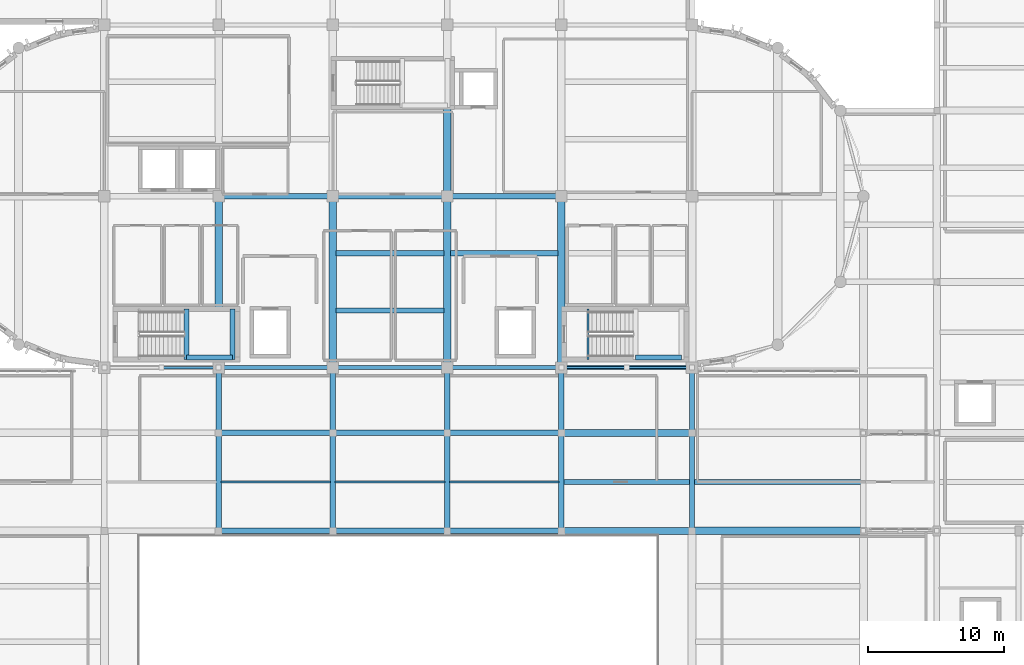
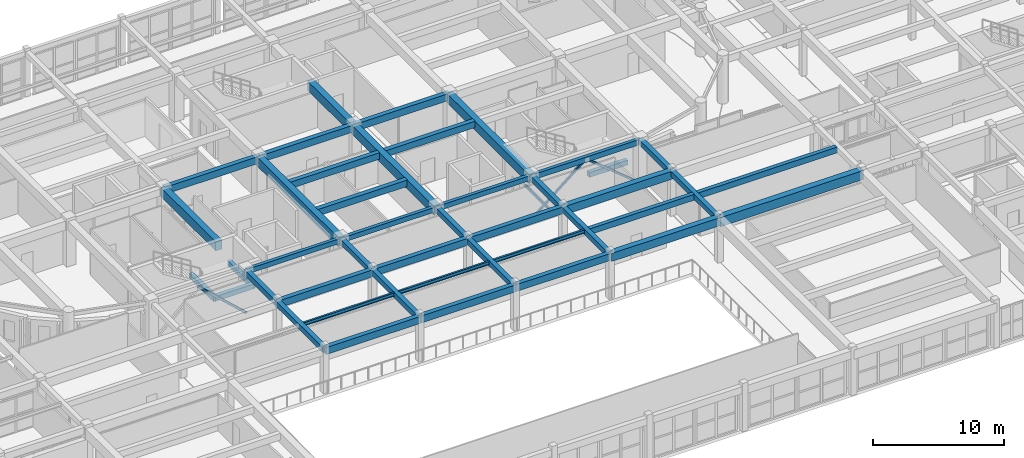
# One storey, part 34 of 92: 43 beams, 4 members.
"""IFC4 building model written with IfcOpenShell, lengths in metres."""

from ifc_helpers import new_model, si_unit, direction, frame, origin, origin_2d, place, context, subcontext, project, spatial, rectangle, hollow_rectangle, i_section, extrude, material, material_profile, profile_set, type_object, element, save


model = new_model("IFC4")

# Units and contexts
model_context = context("Model", 3, precision=1e-05, world=origin(), true_north=direction((0.0, 1.0)))
body_context = subcontext(model_context, "Body", "Model", "MODEL_VIEW")
ifc_project = project(units=[si_unit("LENGTHUNIT", "METRE"), si_unit("AREAUNIT", "SQUARE_METRE"), si_unit("VOLUMEUNIT", "CUBIC_METRE"), si_unit("PLANEANGLEUNIT", "RADIAN"), si_unit("MASSUNIT", "GRAM", prefix="KILO")], contexts=[model_context])

# Site, building, storey
site_placement = place(None, origin())
site = spatial("IfcSite", under=ifc_project, at=site_placement, CompositionType="ELEMENT")
building_placement = place(site_placement, origin())
building = spatial("IfcBuilding", under=site, at=building_placement, Name="Tarnavel Promenade Courthouse", CompositionType="ELEMENT")
storey_placement = place(building_placement, frame((0.0, 0.0, 5.39990234375)))
storey = spatial("IfcBuildingStorey", under=building, at=storey_placement, Name="L02", CompositionType="ELEMENT", Elevation=5.39990234375)

# Beams
ifc_material_1 = material(Name="Concrete C40/50", Category="concrete")
ifc_material_profile_1 = material_profile(ifc_material_1, rectangle(XDim=0.35009765625, YDim=0.550048828125, at=origin_2d()), Name="PT 350x550")
ifc_profile_set_1 = profile_set([ifc_material_profile_1], Name="Concrete C40/50")
beam_type_1 = type_object("IfcBeamType", Name="Concrete C40/50 BM-PT-350x550 (PT 350x550)", PredefinedType="JOIST", material=ifc_profile_set_1)
beam_1_placement = place(storey_placement, frame((92.570068359375, 70.800048828125, 3.920166015625), z_axis=(1.0, 0.0, 0.0), x_axis=(0.0, 1.0, 0.0)))
element("IfcBeam", 1, at=beam_1_placement, inside=storey, type_object=beam_type_1, Name="L02 Secondary Floor Rib 1400", PredefinedType="JOIST", context=body_context, shape_type="SweptSolid", body=[
    extrude(rectangle(XDim=0.35009765625, YDim=0.550048828125, at=origin_2d()), origin(), (0.0, 0.0, 1.0), 9.260009765625),
])
beam_2_placement = place(storey_placement, frame((102.169921875, 70.800048828125, 3.920166015625), z_axis=(1.0, 0.0, 0.0), x_axis=(0.0, 1.0, 0.0)))
element("IfcBeam", 2, at=beam_2_placement, inside=storey, type_object=beam_type_1, Name="L02 Secondary Floor Rib 1401", PredefinedType="JOIST", context=body_context, shape_type="SweptSolid", body=[
    extrude(rectangle(XDim=0.35009765625, YDim=0.550048828125, at=origin_2d()), origin(), (0.0, 0.0, 1.0), 12.260009765625),
])
ifc_material_profile_2 = material_profile(ifc_material_1, rectangle(XDim=0.39990234375, YDim=0.60009765625, at=origin_2d()), Name="PT 400x600")
ifc_profile_set_2 = profile_set([ifc_material_profile_2], Name="Concrete C40/50")
beam_type_2 = type_object("IfcBeamType", Name="Concrete C40/50 BM-PT-400x600 (PT 400x600)", PredefinedType="JOIST", material=ifc_profile_set_2)
for number, where, z_axis, x_axis, name in (
    (3, (75.844970703125, 83.39990234375, 3.93505859375), (1.0, 0.0, 0.0), (0.0, 1.0, 0.0), "L02 Secondary Floor Rib 1461"),
    (4, (75.844970703125, 87.60009765625, 3.93505859375), (1.0, 0.0, 0.0), (0.0, 1.0, 0.0), "L02 Secondary Floor Rib 1462"),
    (5, (84.2451171875, 87.60009765625, 3.93505859375), (1.0, 0.0, 0.0), (0.0, 1.0, 0.0), "L02 Secondary Floor Rib 1463"),
):
    element("IfcBeam", number, at=place(storey_placement, frame(where, z_axis=z_axis, x_axis=x_axis)), inside=storey, type_object=beam_type_2, Name=name, PredefinedType="JOIST", context=body_context, shape_type="SweptSolid", body=[
        extrude(rectangle(XDim=0.39990234375, YDim=0.60009765625, at=origin_2d()), origin(), (0.0, 0.0, 1.0), 7.909912109375),
    ])
ifc_material_profile_3 = material_profile(ifc_material_1, rectangle(XDim=0.550048828125, YDim=0.85009765625, at=origin_2d()), Name="PT 550x850")
ifc_profile_set_3 = profile_set([ifc_material_profile_3], Name="Concrete C40/50")
beam_type_3 = type_object("IfcBeamType", Name="Concrete C40/50 BM-PT-550x850 (PT 550x850)", PredefinedType="T_BEAM", material=ifc_profile_set_3)
beam_3_placement = place(storey_placement, frame((102.0, 67.199951171875, 3.77001953125), z_axis=(1.0, 0.0, 0.0), x_axis=(0.0, 1.0, 0.0)))
element("IfcBeam", 6, at=beam_3_placement, inside=storey, type_object=beam_type_3, Name="L02 Primary Longitudinal Beam 1138", PredefinedType="T_BEAM", context=body_context, shape_type="SweptSolid", body=[
    extrude(rectangle(XDim=0.550048828125, YDim=0.85009765625, at=origin_2d()), origin(), (0.0, 0.0, 1.0), 12.60009765625),
])
beam_4_placement = place(storey_placement, frame((67.199951171875, 83.3701171875, 3.81005859375), z_axis=(0.0, 1.0, 0.0), x_axis=(-1.0, 0.0, 0.0)))
element("IfcBeam", 7, at=beam_4_placement, inside=storey, type_object=beam_type_3, Name="L02 Transverse Girder 1285", PredefinedType="T_BEAM", context=body_context, shape_type="SweptSolid", body=[
    extrude(rectangle(XDim=0.550048828125, YDim=0.85009765625, at=origin_2d()), origin(), (0.0, 0.0, 1.0), 8.429931640625),
])
for number, where, z_axis, x_axis, name in (
    (8, (75.60009765625, 79.199951171875, 3.81005859375), (0.0, 1.0, 0.0), (-1.0, 0.0, 0.0), "L02 Transverse Girder 1290"),
    (9, (84.0, 79.199951171875, 3.81005859375), (0.0, 1.0, 0.0), (-1.0, 0.0, 0.0), "L02 Transverse Girder 1295"),
):
    element("IfcBeam", number, at=place(storey_placement, frame(where, z_axis=z_axis, x_axis=x_axis)), inside=storey, type_object=beam_type_3, Name=name, PredefinedType="T_BEAM", context=body_context, shape_type="SweptSolid", body=[
        extrude(rectangle(XDim=0.550048828125, YDim=0.85009765625, at=origin_2d()), origin(), (0.0, 0.0, 1.0), 12.60009765625),
    ])
beam_5_placement = place(storey_placement, frame((84.0, 91.800048828125, 3.81005859375), z_axis=(0.0, 1.0, 0.0), x_axis=(-1.0, 0.0, 0.0)))
element("IfcBeam", 10, at=beam_5_placement, inside=storey, type_object=beam_type_3, Name="L02 Transverse Girder 1296", PredefinedType="T_BEAM", context=body_context, shape_type="SweptSolid", body=[
    extrude(rectangle(XDim=0.550048828125, YDim=0.85009765625, at=origin_2d()), origin(), (0.0, 0.0, 1.0), 6.64990234375),
])
beam_6_placement = place(storey_placement, frame((92.39990234375, 79.199951171875, 3.81005859375), z_axis=(0.0, 1.0, 0.0), x_axis=(-1.0, 0.0, 0.0)))
element("IfcBeam", 11, at=beam_6_placement, inside=storey, type_object=beam_type_3, Name="L02 Transverse Girder 1301", PredefinedType="T_BEAM", context=body_context, shape_type="SweptSolid", body=[
    extrude(rectangle(XDim=0.550048828125, YDim=0.85009765625, at=origin_2d()), origin(), (0.0, 0.0, 1.0), 12.60009765625),
])
ifc_material_profile_4 = material_profile(ifc_material_1, rectangle(XDim=0.35009765625, YDim=0.449951171875, at=origin_2d()), Name="RC 350x450")
ifc_profile_set_4 = profile_set([ifc_material_profile_4], Name="Concrete C40/50")
beam_type_4 = type_object("IfcBeamType", Name="Concrete C40/50 BM-RC-350x450 (RC 350x450)", PredefinedType="BEAM", material=ifc_profile_set_4)
for number, where, z_axis, x_axis, name in (
    (12, (64.840087890625, 79.800048828125, 1.820068359375), (0.0, 1.0, 0.0), (-1.0, 0.0, 0.0), "L02 ST-01 Mid-Landing Support Beam Near"),
    (13, (68.219970703125, 79.800048828125, 1.820068359375), (0.0, 1.0, 0.0), (-1.0, 0.0, 0.0), "L02 ST-01 Mid-Landing Support Beam Far"),
):
    element("IfcBeam", number, at=place(storey_placement, frame(where, z_axis=z_axis, x_axis=x_axis)), inside=storey, type_object=beam_type_4, Name=name, PredefinedType="BEAM", context=body_context, shape_type="SweptSolid", body=[
        extrude(rectangle(XDim=0.35009765625, YDim=0.449951171875, at=origin_2d()), origin(), (0.0, 0.0, 1.0), 3.719970703125),
    ])
for number, where, z_axis, x_axis, name in (
    (14, (64.840087890625, 79.949951171875, 1.820068359375), (1.0, 0.0, 0.0), (0.0, 1.0, 0.0), "L02 ST-01 Mid-Landing Edge Trimmer"),
    (15, (97.840087890625, 79.949951171875, 1.820068359375), (1.0, 0.0, 0.0), (0.0, 1.0, 0.0), "L02 ST-02 Mid-Landing Edge Trimmer"),
):
    element("IfcBeam", number, at=place(storey_placement, frame(where, z_axis=z_axis, x_axis=x_axis)), inside=storey, type_object=beam_type_4, Name=name, PredefinedType="BEAM", context=body_context, shape_type="SweptSolid", body=[
        extrude(rectangle(XDim=0.35009765625, YDim=0.449951171875, at=origin_2d()), origin(), (0.0, 0.0, 1.0), 3.3798828125),
    ])
ifc_material_profile_5 = material_profile(ifc_material_1, rectangle(XDim=0.39990234375, YDim=0.5, at=origin_2d()), Name="RC 400x500")
ifc_profile_set_5 = profile_set([ifc_material_profile_5], Name="Concrete C40/50")
beam_type_5 = type_object("IfcBeamType", Name="Concrete C40/50 BM-RC-400x500 (RC 400x500)", PredefinedType="BEAM", material=ifc_profile_set_5)
beam_7_placement = place(storey_placement, frame((67.199951171875, 67.199951171875, 3.945068359375), z_axis=(0.0, 1.0, 0.0), x_axis=(-1.0, 0.0, 0.0)))
element("IfcBeam", 16, at=beam_7_placement, inside=storey, type_object=beam_type_5, Name="L02 Transverse Girder 1283", PredefinedType="BEAM", context=body_context, shape_type="SweptSolid", body=[
    extrude(rectangle(XDim=0.39990234375, YDim=0.5, at=origin_2d()), origin(), (0.0, 0.0, 1.0), 7.199951171875),
])
beam_8_placement = place(storey_placement, frame((67.199951171875, 74.39990234375, 3.945068359375), z_axis=(0.0, 1.0, 0.0), x_axis=(-1.0, 0.0, 0.0)))
element("IfcBeam", 17, at=beam_8_placement, inside=storey, type_object=beam_type_5, Name="L02 Transverse Girder 1284", PredefinedType="BEAM", context=body_context, shape_type="SweptSolid", body=[
    extrude(rectangle(XDim=0.39990234375, YDim=0.5, at=origin_2d()), origin(), (0.0, 0.0, 1.0), 4.800048828125),
])
beam_9_placement = place(storey_placement, frame((75.60009765625, 67.199951171875, 3.945068359375), z_axis=(0.0, 1.0, 0.0), x_axis=(-1.0, 0.0, 0.0)))
element("IfcBeam", 18, at=beam_9_placement, inside=storey, type_object=beam_type_5, Name="L02 Transverse Girder 1288", PredefinedType="BEAM", context=body_context, shape_type="SweptSolid", body=[
    extrude(rectangle(XDim=0.39990234375, YDim=0.5, at=origin_2d()), origin(), (0.0, 0.0, 1.0), 7.199951171875),
])
beam_10_placement = place(storey_placement, frame((75.60009765625, 74.39990234375, 3.945068359375), z_axis=(0.0, 1.0, 0.0), x_axis=(-1.0, 0.0, 0.0)))
element("IfcBeam", 19, at=beam_10_placement, inside=storey, type_object=beam_type_5, Name="L02 Transverse Girder 1289", PredefinedType="BEAM", context=body_context, shape_type="SweptSolid", body=[
    extrude(rectangle(XDim=0.39990234375, YDim=0.5, at=origin_2d()), origin(), (0.0, 0.0, 1.0), 4.800048828125),
])
beam_11_placement = place(storey_placement, frame((84.0, 67.199951171875, 3.945068359375), z_axis=(0.0, 1.0, 0.0), x_axis=(-1.0, 0.0, 0.0)))
element("IfcBeam", 20, at=beam_11_placement, inside=storey, type_object=beam_type_5, Name="L02 Transverse Girder 1293", PredefinedType="BEAM", context=body_context, shape_type="SweptSolid", body=[
    extrude(rectangle(XDim=0.39990234375, YDim=0.5, at=origin_2d()), origin(), (0.0, 0.0, 1.0), 7.199951171875),
])
beam_12_placement = place(storey_placement, frame((84.0, 74.39990234375, 3.945068359375), z_axis=(0.0, 1.0, 0.0), x_axis=(-1.0, 0.0, 0.0)))
element("IfcBeam", 21, at=beam_12_placement, inside=storey, type_object=beam_type_5, Name="L02 Transverse Girder 1294", PredefinedType="BEAM", context=body_context, shape_type="SweptSolid", body=[
    extrude(rectangle(XDim=0.39990234375, YDim=0.5, at=origin_2d()), origin(), (0.0, 0.0, 1.0), 4.800048828125),
])
beam_13_placement = place(storey_placement, frame((92.39990234375, 67.199951171875, 3.945068359375), z_axis=(0.0, 1.0, 0.0), x_axis=(-1.0, 0.0, 0.0)))
element("IfcBeam", 22, at=beam_13_placement, inside=storey, type_object=beam_type_5, Name="L02 Transverse Girder 1299", PredefinedType="BEAM", context=body_context, shape_type="SweptSolid", body=[
    extrude(rectangle(XDim=0.39990234375, YDim=0.5, at=origin_2d()), origin(), (0.0, 0.0, 1.0), 7.199951171875),
])
beam_14_placement = place(storey_placement, frame((92.39990234375, 74.39990234375, 3.945068359375), z_axis=(0.0, 1.0, 0.0), x_axis=(-1.0, 0.0, 0.0)))
element("IfcBeam", 23, at=beam_14_placement, inside=storey, type_object=beam_type_5, Name="L02 Transverse Girder 1300", PredefinedType="BEAM", context=body_context, shape_type="SweptSolid", body=[
    extrude(rectangle(XDim=0.39990234375, YDim=0.5, at=origin_2d()), origin(), (0.0, 0.0, 1.0), 4.800048828125),
])
beam_15_placement = place(storey_placement, frame((102.0, 67.199951171875, 3.945068359375), z_axis=(0.0, 1.0, 0.0), x_axis=(-1.0, 0.0, 0.0)))
element("IfcBeam", 24, at=beam_15_placement, inside=storey, type_object=beam_type_5, Name="L02 Transverse Girder 1305", PredefinedType="BEAM", context=body_context, shape_type="SweptSolid", body=[
    extrude(rectangle(XDim=0.39990234375, YDim=0.5, at=origin_2d()), origin(), (0.0, 0.0, 1.0), 7.199951171875),
])
beam_16_placement = place(storey_placement, frame((102.0, 74.39990234375, 3.945068359375), z_axis=(0.0, 1.0, 0.0), x_axis=(-1.0, 0.0, 0.0)))
element("IfcBeam", 25, at=beam_16_placement, inside=storey, type_object=beam_type_5, Name="L02 Transverse Girder 1306", PredefinedType="BEAM", context=body_context, shape_type="SweptSolid", body=[
    extrude(rectangle(XDim=0.39990234375, YDim=0.5, at=origin_2d()), origin(), (0.0, 0.0, 1.0), 4.800048828125),
])
ifc_material_profile_6 = material_profile(ifc_material_1, rectangle(XDim=0.39990234375, YDim=0.64990234375, at=origin_2d()), Name="RC 400x650")
ifc_profile_set_6 = profile_set([ifc_material_profile_6], Name="Concrete C40/50")
beam_type_6 = type_object("IfcBeamType", Name="Concrete C40/50 BM-RC-400x650 (RC 400x650)", PredefinedType="BEAM", material=ifc_profile_set_6)
beam_17_placement = place(storey_placement, frame((67.199951171875, 67.199951171875, 3.8701171875), z_axis=(1.0, 0.0, 0.0), x_axis=(0.0, 1.0, 0.0)))
element("IfcBeam", 26, at=beam_17_placement, inside=storey, type_object=beam_type_6, Name="L02 Primary Longitudinal Beam 1134", PredefinedType="BEAM", context=body_context, shape_type="SweptSolid", body=[
    extrude(rectangle(XDim=0.39990234375, YDim=0.64990234375, at=origin_2d()), origin(), (0.0, 0.0, 1.0), 8.400146484375),
])
for number, where, z_axis, x_axis, name in (
    (27, (75.60009765625, 67.199951171875, 3.8701171875), (1.0, 0.0, 0.0), (0.0, 1.0, 0.0), "L02 Primary Longitudinal Beam 1135"),
    (28, (84.0, 67.199951171875, 3.8701171875), (1.0, 0.0, 0.0), (0.0, 1.0, 0.0), "L02 Primary Longitudinal Beam 1136"),
):
    element("IfcBeam", number, at=place(storey_placement, frame(where, z_axis=z_axis, x_axis=x_axis)), inside=storey, type_object=beam_type_6, Name=name, PredefinedType="BEAM", context=body_context, shape_type="SweptSolid", body=[
        extrude(rectangle(XDim=0.39990234375, YDim=0.64990234375, at=origin_2d()), origin(), (0.0, 0.0, 1.0), 8.39990234375),
    ])
beam_18_placement = place(storey_placement, frame((67.199951171875, 74.39990234375, 3.8701171875), z_axis=(1.0, 0.0, 0.0), x_axis=(0.0, 1.0, 0.0)))
element("IfcBeam", 29, at=beam_18_placement, inside=storey, type_object=beam_type_6, Name="L02 Primary Longitudinal Beam 1157", PredefinedType="BEAM", context=body_context, shape_type="SweptSolid", body=[
    extrude(rectangle(XDim=0.39990234375, YDim=0.64990234375, at=origin_2d()), origin(), (0.0, 0.0, 1.0), 8.400146484375),
])
for number, where, z_axis, x_axis, name in (
    (30, (75.60009765625, 74.39990234375, 3.8701171875), (1.0, 0.0, 0.0), (0.0, 1.0, 0.0), "L02 Primary Longitudinal Beam 1158"),
    (31, (84.0, 74.39990234375, 3.8701171875), (1.0, 0.0, 0.0), (0.0, 1.0, 0.0), "L02 Primary Longitudinal Beam 1159"),
):
    element("IfcBeam", number, at=place(storey_placement, frame(where, z_axis=z_axis, x_axis=x_axis)), inside=storey, type_object=beam_type_6, Name=name, PredefinedType="BEAM", context=body_context, shape_type="SweptSolid", body=[
        extrude(rectangle(XDim=0.39990234375, YDim=0.64990234375, at=origin_2d()), origin(), (0.0, 0.0, 1.0), 8.39990234375),
    ])
beam_19_placement = place(storey_placement, frame((67.199951171875, 91.800048828125, 3.91015625), z_axis=(1.0, 0.0, 0.0), x_axis=(0.0, 1.0, 0.0)))
element("IfcBeam", 32, at=beam_19_placement, inside=storey, type_object=beam_type_6, Name="L02 Primary Longitudinal Beam 1185", PredefinedType="BEAM", context=body_context, shape_type="SweptSolid", body=[
    extrude(rectangle(XDim=0.39990234375, YDim=0.64990234375, at=origin_2d()), origin(), (0.0, 0.0, 1.0), 8.400146484375),
])
for number, where, z_axis, x_axis, name in (
    (33, (75.60009765625, 91.800048828125, 3.91015625), (1.0, 0.0, 0.0), (0.0, 1.0, 0.0), "L02 Primary Longitudinal Beam 1186"),
    (34, (84.0, 91.800048828125, 3.91015625), (1.0, 0.0, 0.0), (0.0, 1.0, 0.0), "L02 Primary Longitudinal Beam 1187"),
):
    element("IfcBeam", number, at=place(storey_placement, frame(where, z_axis=z_axis, x_axis=x_axis)), inside=storey, type_object=beam_type_6, Name=name, PredefinedType="BEAM", context=body_context, shape_type="SweptSolid", body=[
        extrude(rectangle(XDim=0.39990234375, YDim=0.64990234375, at=origin_2d()), origin(), (0.0, 0.0, 1.0), 8.39990234375),
    ])
ifc_material_profile_7 = material_profile(ifc_material_1, rectangle(XDim=0.5, YDim=0.75, at=origin_2d()), Name="RC 500x750")
ifc_profile_set_7 = profile_set([ifc_material_profile_7], Name="Concrete C40/50")
beam_type_7 = type_object("IfcBeamType", Name="Concrete C40/50 BM-RC-500x750 (RC 500x750)", PredefinedType="T_BEAM", material=ifc_profile_set_7)
for number, where, z_axis, x_axis, name in (
    (35, (92.39990234375, 67.199951171875, 3.820068359375), (1.0, 0.0, 0.0), (0.0, 1.0, 0.0), "L02 Primary Longitudinal Beam 1137"),
    (36, (92.39990234375, 74.39990234375, 3.820068359375), (1.0, 0.0, 0.0), (0.0, 1.0, 0.0), "L02 Primary Longitudinal Beam 1160"),
):
    element("IfcBeam", number, at=place(storey_placement, frame(where, z_axis=z_axis, x_axis=x_axis)), inside=storey, type_object=beam_type_7, Name=name, PredefinedType="T_BEAM", context=body_context, shape_type="SweptSolid", body=[
        extrude(rectangle(XDim=0.5, YDim=0.75, at=origin_2d()), origin(), (0.0, 0.0, 1.0), 9.60009765625),
    ])
ifc_material_profile_8 = material_profile(ifc_material_1, rectangle(XDim=0.300048828125, YDim=0.449951171875, at=origin_2d()), Name="RC 300x450")
ifc_profile_set_8 = profile_set([ifc_material_profile_8], Name="Concrete C40/50")
beam_type_8 = type_object("IfcBeamType", Name="Concrete C40/50 BM-SP-300x450 (RC 300x450)", PredefinedType="SPANDREL", material=ifc_profile_set_8)
beam_20_placement = place(storey_placement, frame((67.199951171875, 79.199951171875, 3.97021484375), z_axis=(1.0, 0.0, 0.0), x_axis=(0.0, 1.0, 0.0)))
element("IfcBeam", 37, at=beam_20_placement, inside=storey, type_object=beam_type_8, Name="L02 Primary Longitudinal Beam 1168", PredefinedType="SPANDREL", context=body_context, shape_type="SweptSolid", body=[
    extrude(rectangle(XDim=0.300048828125, YDim=0.449951171875, at=origin_2d()), origin(), (0.0, 0.0, 1.0), 8.400146484375),
])
for number, where, z_axis, x_axis, name in (
    (38, (75.60009765625, 79.199951171875, 3.97021484375), (1.0, 0.0, 0.0), (0.0, 1.0, 0.0), "L02 Primary Longitudinal Beam 1169"),
    (39, (84.0, 79.199951171875, 3.97021484375), (1.0, 0.0, 0.0), (0.0, 1.0, 0.0), "L02 Primary Longitudinal Beam 1170"),
):
    element("IfcBeam", number, at=place(storey_placement, frame(where, z_axis=z_axis, x_axis=x_axis)), inside=storey, type_object=beam_type_8, Name=name, PredefinedType="SPANDREL", context=body_context, shape_type="SweptSolid", body=[
        extrude(rectangle(XDim=0.300048828125, YDim=0.449951171875, at=origin_2d()), origin(), (0.0, 0.0, 1.0), 8.39990234375),
    ])
ifc_material_profile_9 = material_profile(ifc_material_1, rectangle(XDim=0.300048828125, YDim=0.5, at=origin_2d()), Name="RC 300x500")
ifc_profile_set_9 = profile_set([ifc_material_profile_9], Name="Concrete C40/50")
beam_type_9 = type_object("IfcBeamType", Name="Concrete C40/50 BM-SP-300x500 (RC 300x500)", PredefinedType="SPANDREL", material=ifc_profile_set_9)
beam_21_placement = place(storey_placement, frame((92.39990234375, 79.199951171875, 3.945068359375), z_axis=(1.0, 0.0, 0.0), x_axis=(0.0, 1.0, 0.0)))
element("IfcBeam", 40, at=beam_21_placement, inside=storey, type_object=beam_type_9, Name="L02 Primary Longitudinal Beam 1171", PredefinedType="SPANDREL", context=body_context, shape_type="SweptSolid", body=[
    extrude(rectangle(XDim=0.300048828125, YDim=0.5, at=origin_2d()), origin(), (0.0, 0.0, 1.0), 9.60009765625),
])
ifc_material_2 = material(Name="Steel S355J2", Category="steel")
ifc_material_profile_10 = material_profile(ifc_material_2, i_section(OverallWidth=0.159912109375, OverallDepth=0.330078125, WebThickness=0.007568359375, FlangeThickness=0.011474609375, FilletRadius=0.01806640625, at=origin_2d()), Name="IPE 330")
ifc_profile_set_10 = profile_set([ifc_material_profile_10], Name="Steel S355J2")
beam_type_10 = type_object("IfcBeamType", Name="Steel S355J2 BM-ST-IPE330 (IPE 330)", PredefinedType="JOIST", material=ifc_profile_set_10)
beam_22_placement = place(storey_placement, frame((67.3701171875, 70.800048828125, 4.030029296875), z_axis=(1.0, 0.0, 0.0), x_axis=(0.0, 1.0, 0.0)))
element("IfcBeam", 41, at=beam_22_placement, inside=storey, type_object=beam_type_10, Name="L02 Secondary Floor Rib 1397", PredefinedType="JOIST", context=body_context, shape_type="SweptSolid", body=[
    extrude(i_section(OverallWidth=0.159912109375, OverallDepth=0.330078125, WebThickness=0.007568359375, FlangeThickness=0.011474609375, FilletRadius=0.01806640625, at=origin_2d()), origin(), (0.0, 0.0, 1.0), 8.059814453125),
])
for number, where, z_axis, x_axis, name in (
    (42, (75.77001953125, 70.800048828125, 4.030029296875), (1.0, 0.0, 0.0), (0.0, 1.0, 0.0), "L02 Secondary Floor Rib 1398"),
    (43, (84.169921875, 70.800048828125, 4.030029296875), (1.0, 0.0, 0.0), (0.0, 1.0, 0.0), "L02 Secondary Floor Rib 1399"),
):
    element("IfcBeam", number, at=place(storey_placement, frame(where, z_axis=z_axis, x_axis=x_axis)), inside=storey, type_object=beam_type_10, Name=name, PredefinedType="JOIST", context=body_context, shape_type="SweptSolid", body=[
        extrude(i_section(OverallWidth=0.159912109375, OverallDepth=0.330078125, WebThickness=0.007568359375, FlangeThickness=0.011474609375, FilletRadius=0.01806640625, at=origin_2d()), origin(), (0.0, 0.0, 1.0), 8.06005859375),
    ])

# Members
ifc_material_profile_11 = material_profile(ifc_material_2, hollow_rectangle(XDim=0.179931640625, YDim=0.179931640625, WallThickness=0.010009765625, InnerFilletRadius=0.010009765625, OuterFilletRadius=0.02001953125, at=origin_2d()), Name="SHS 180x180x10")
ifc_profile_set_11 = profile_set([ifc_material_profile_11], Name="Steel S355J2")
member_type_1 = type_object("IfcMemberType", Name="Steel S355J2 MEM-BR-SHS180 (SHS 180x180x10)", PredefinedType="BRACE", material=ifc_profile_set_11)
for number, where, z_axis, x_axis, name in (
    (44, (92.39990234375, 79.199951171875, 0.0), (0.772554836083, 0.0, 0.634948049248), (0.0, 1.0, 0.0), "L02 V5 Chevron Brace A 013"),
    (45, (102.0, 79.199951171875, 0.0), (-0.772554836083, 0.0, 0.634948049248), (0.0, -1.0, 0.0), "L02 V5 Chevron Brace B 013"),
):
    element("IfcMember", number, at=place(storey_placement, frame(where, z_axis=z_axis, x_axis=x_axis)), inside=storey, type_object=member_type_1, Name=name, PredefinedType="BRACE", context=body_context, shape_type="SweptSolid", body=[
        extrude(hollow_rectangle(XDim=0.179931640625, YDim=0.179931640625, WallThickness=0.010009765625, InnerFilletRadius=0.010009765625, OuterFilletRadius=0.02001953125, at=origin_2d()), origin(), (0.0, 0.0, 1.0), 6.213134765625),
    ])
ifc_material_profile_12 = material_profile(ifc_material_2, hollow_rectangle(XDim=0.199951171875, YDim=0.199951171875, WallThickness=0.012451171875, InnerFilletRadius=0.012451171875, OuterFilletRadius=0.02490234375, at=origin_2d()), Name="SHS 200x200x12.5")
ifc_profile_set_12 = profile_set([ifc_material_profile_12], Name="Steel S355J2")
member_type_2 = type_object("IfcMemberType", Name="Steel S355J2 MEM-BR-SHS200 (SHS 200x200x12.5)", PredefinedType="BRACE", material=ifc_profile_set_12)
member_1_placement = place(storey_placement, frame((67.199951171875, 79.199951171875, 0.09521484375), z_axis=(-0.737163033708, 0.0, 0.675714926381), x_axis=(0.0, -1.0, 0.0)))
element("IfcMember", 46, at=member_1_placement, inside=storey, type_object=member_type_2, Name="L02 V5 Chevron Brace B 003", PredefinedType="BRACE", context=body_context, shape_type="SweptSolid", body=[
    extrude(hollow_rectangle(XDim=0.199951171875, YDim=0.199951171875, WallThickness=0.012451171875, InnerFilletRadius=0.012451171875, OuterFilletRadius=0.02490234375, at=origin_2d()), origin(), (0.0, 0.0, 1.0), 5.697509765625),
])
ifc_material_profile_13 = material_profile(ifc_material_2, hollow_rectangle(XDim=0.14990234375, YDim=0.25, WallThickness=0.010009765625, InnerFilletRadius=0.010009765625, OuterFilletRadius=0.02001953125, at=origin_2d()), Name="RHS 250x150x10")
ifc_profile_set_13 = profile_set([ifc_material_profile_13], Name="Steel S355J2")
member_type_3 = type_object("IfcMemberType", Name="Steel S355J2 Stair Stringer MEM-STR-250 (RHS 250x150x10)", PredefinedType="STRINGER", material=ifc_profile_set_13)
member_2_placement = place(storey_placement, frame((94.360107421875, 79.800048828125, -0.179931640625), z_axis=(0.0, 1.0, 0.0), x_axis=(-1.0, 0.0, 0.0)))
element("IfcMember", 47, at=member_2_placement, inside=storey, type_object=member_type_3, Name="L02 ST-02 Stair Header Stringer", PredefinedType="STRINGER", context=body_context, shape_type="SweptSolid", body=[
    extrude(hollow_rectangle(XDim=0.14990234375, YDim=0.25, WallThickness=0.010009765625, InnerFilletRadius=0.010009765625, OuterFilletRadius=0.02001953125, at=origin_2d()), origin(), (0.0, 0.0, 1.0), 3.719970703125),
])

save(model, "model.ifc")
